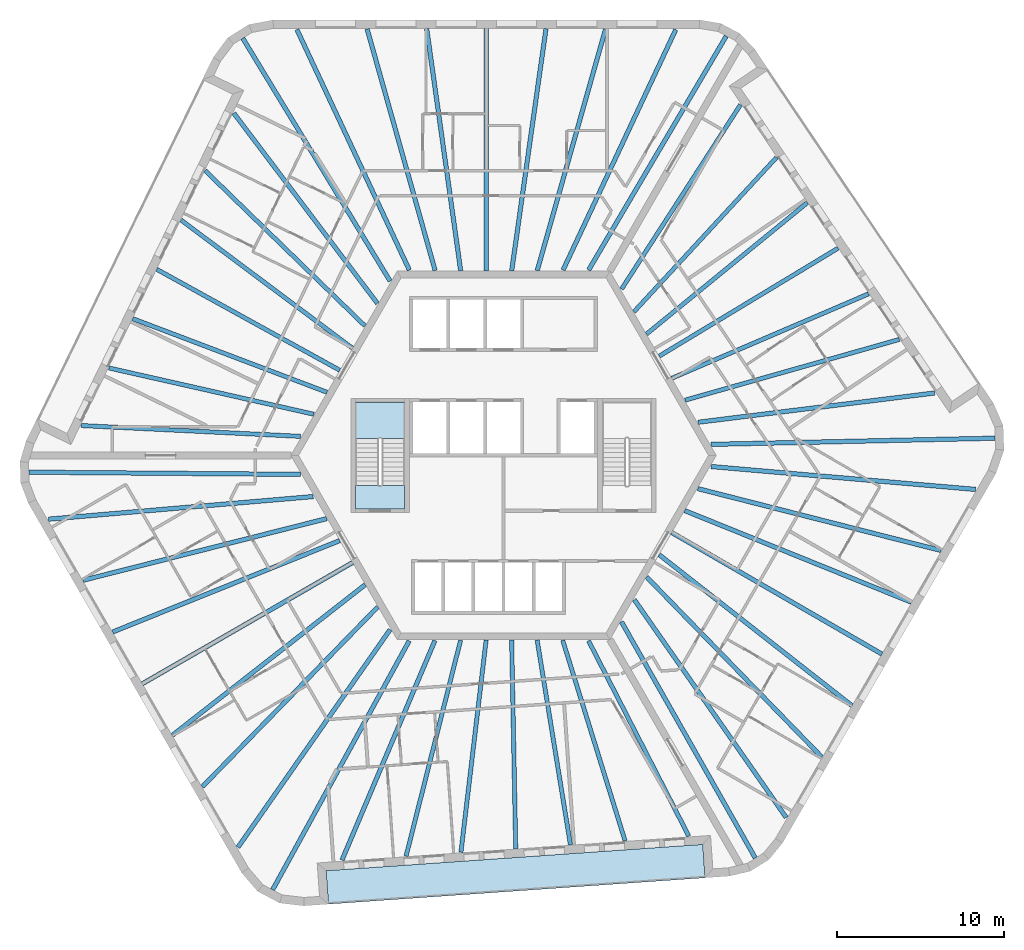
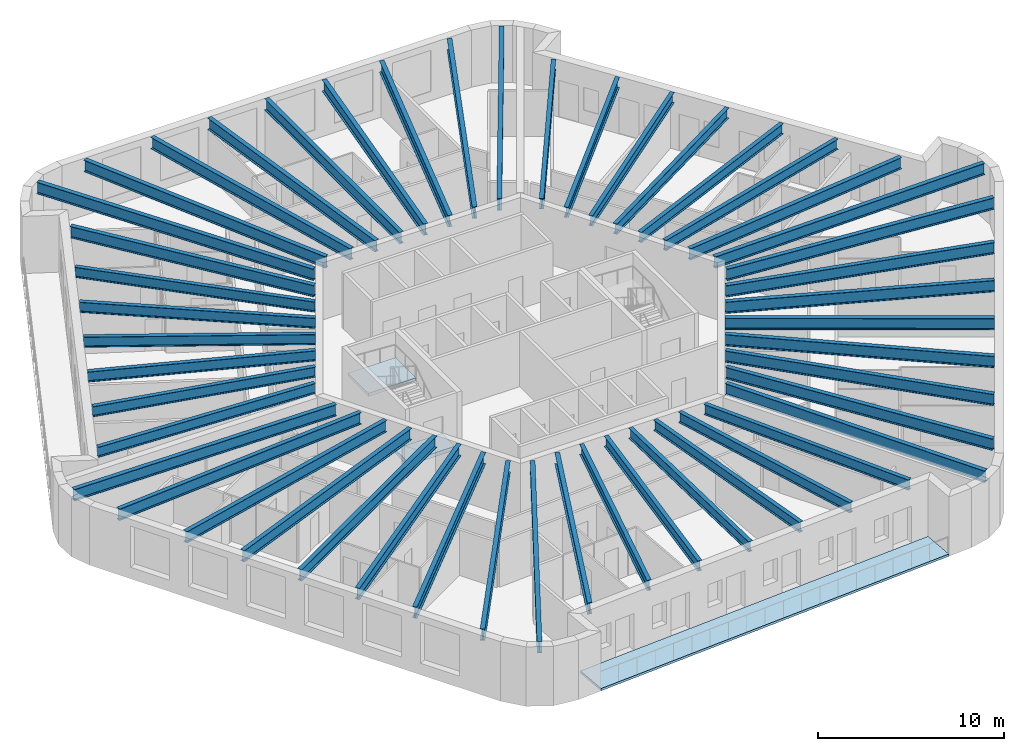
# One storey, part 1 of 12: 48 beams, 3 slabs, 1 element without a shape of its own.
"""IFC4 building model written with IfcOpenShell, lengths in metres."""

from ifc_helpers import new_model, si_unit, direction, frame, origin, origin_2d, place, context, subcontext, project, spatial, polyline, i_section, outline, extrude, material, layer, layer_set, material_profile, profile_set, type_object, element, aggregate, save


model = new_model("IFC4")

# Units and contexts
model_context = context("Model", 3, precision=1e-05, world=origin(), true_north=direction((0.0, 1.0)))
body_context = subcontext(model_context, "Body", "Model", "MODEL_VIEW")
ifc_project = project(units=[si_unit("LENGTHUNIT", "METRE"), si_unit("AREAUNIT", "SQUARE_METRE"), si_unit("VOLUMEUNIT", "CUBIC_METRE"), si_unit("PLANEANGLEUNIT", "RADIAN"), si_unit("MASSUNIT", "GRAM", prefix="KILO")], contexts=[model_context])

# Site, building, storey
site_placement = place(None, origin())
site = spatial("IfcSite", under=ifc_project, at=site_placement, CompositionType="ELEMENT")
building_placement = place(site_placement, origin())
building = spatial("IfcBuilding", under=site, at=building_placement, Name="Tarnside Tower", CompositionType="ELEMENT")
storey_placement = place(building_placement, frame((0.0, 0.0, 295.199951171875)))
storey = spatial("IfcBuildingStorey", under=building, at=storey_placement, Name="L71", CompositionType="ELEMENT", Elevation=295.199951171875)

# Beams
ifc_material_1 = material(Name="Steel S355", Category="steel")
ifc_material_profile_1 = material_profile(ifc_material_1, i_section(OverallWidth=0.2529296875, OverallDepth=0.677978515625, WebThickness=0.01171875, FlangeThickness=0.01611328125, FilletRadius=0.01513671875, at=origin_2d()), Name="UB 686x254x125")
ifc_profile_set_1 = profile_set([ifc_material_profile_1], Name="Steel S355")
beam_type_1 = type_object("IfcBeamType", Name="Floor beam UB 686x254x125", PredefinedType="BEAM", material=ifc_profile_set_1)
beam_1_placement = place(storey_placement, frame((-17.811279296875, 17.002197265625, 3.4111328125), z_axis=(0.717190986424, -0.696876666988, 0.0), x_axis=(0.696876666988, 0.717190986424, 0.0)))
element("IfcBeam", 1, at=beam_1_placement, inside=storey, type_object=beam_type_1, Name="Floor beam F2.02", PredefinedType="BEAM", context=body_context, shape_type="SweptSolid", body=[
    extrude(i_section(OverallWidth=0.2529296875, OverallDepth=0.677978515625, WebThickness=0.01171875, FlangeThickness=0.01611328125, FilletRadius=0.01513671875, at=origin_2d()), origin(), (0.0, 0.0, 1.0), 13.2919921875),
])
beam_2_placement = place(storey_placement, frame((-19.25, 14.0498046875, 3.4111328125), z_axis=(0.801006417676, -0.598655759883, 0.0), x_axis=(0.598655759883, 0.801006417676, 0.0)))
element("IfcBeam", 2, at=beam_2_placement, inside=storey, type_object=beam_type_1, Name="Floor beam F2.03", PredefinedType="BEAM", context=body_context, shape_type="SweptSolid", body=[
    extrude(i_section(OverallWidth=0.2529296875, OverallDepth=0.677978515625, WebThickness=0.01171875, FlangeThickness=0.01611328125, FilletRadius=0.01513671875, at=origin_2d()), origin(), (0.0, 0.0, 1.0), 12.764892578125),
])
beam_3_placement = place(storey_placement, frame((-20.70458984375, 11.111572265625, 3.4111328125), z_axis=(0.875666768762, -0.482915841619, 0.0), x_axis=(0.482915841619, 0.875666768762, 0.0)))
element("IfcBeam", 3, at=beam_3_placement, inside=storey, type_object=beam_type_1, Name="Floor beam F2.04", PredefinedType="BEAM", context=body_context, shape_type="SweptSolid", body=[
    extrude(i_section(OverallWidth=0.2529296875, OverallDepth=0.677978515625, WebThickness=0.01171875, FlangeThickness=0.01611328125, FilletRadius=0.01513671875, at=origin_2d()), origin(), (0.0, 0.0, 1.0), 12.468994140625),
])
beam_4_placement = place(storey_placement, frame((-22.141357421875, 8.165771484375, 3.4111328125), z_axis=(0.935116350489, -0.354340811998, 0.0), x_axis=(0.354340811998, 0.935116350489, 0.0)))
element("IfcBeam", 4, at=beam_4_placement, inside=storey, type_object=beam_type_1, Name="Floor beam F2.05", PredefinedType="BEAM", context=body_context, shape_type="SweptSolid", body=[
    extrude(i_section(OverallWidth=0.2529296875, OverallDepth=0.677978515625, WebThickness=0.01171875, FlangeThickness=0.01611328125, FilletRadius=0.01513671875, at=origin_2d()), origin(), (0.0, 0.0, 1.0), 12.399169921875),
])
beam_5_placement = place(storey_placement, frame((-23.556884765625, 5.2197265625, 3.4111328125), z_axis=(0.975445185376, -0.220242344534, 0.0), x_axis=(0.220242344534, 0.975445185376, 0.0)))
element("IfcBeam", 5, at=beam_5_placement, inside=storey, type_object=beam_type_1, Name="Floor beam F2.06", PredefinedType="BEAM", context=body_context, shape_type="SweptSolid", body=[
    extrude(i_section(OverallWidth=0.2529296875, OverallDepth=0.677978515625, WebThickness=0.01171875, FlangeThickness=0.01611328125, FilletRadius=0.01513671875, at=origin_2d()), origin(), (0.0, 0.0, 1.0), 12.538330078125),
])
beam_6_placement = place(storey_placement, frame((-25.214599609375, 1.7841796875, 3.4111328125), z_axis=(0.998783137237, -0.049317793651, 0.0), x_axis=(0.049317793651, 0.998783137237, 0.0)))
element("IfcBeam", 6, at=beam_6_placement, inside=storey, type_object=beam_type_1, Name="Floor beam F2.07", PredefinedType="BEAM", context=body_context, shape_type="SweptSolid", body=[
    extrude(i_section(OverallWidth=0.2529296875, OverallDepth=0.677978515625, WebThickness=0.01171875, FlangeThickness=0.01611328125, FilletRadius=0.01513671875, at=origin_2d()), origin(), (0.0, 0.0, 1.0), 13.103515625),
])
beam_7_placement = place(storey_placement, frame((-5.818603515625, -23.92626953125, 3.4111328125), z_axis=(0.244907502604, 0.969546448175, 0.0), x_axis=(-0.969546448175, 0.244907502604, 0.0)))
element("IfcBeam", 7, at=beam_7_placement, inside=storey, type_object=beam_type_1, Name="Floor beam F4.02", PredefinedType="BEAM", context=body_context, shape_type="SweptSolid", body=[
    extrude(i_section(OverallWidth=0.2529296875, OverallDepth=0.677978515625, WebThickness=0.01171875, FlangeThickness=0.01611328125, FilletRadius=0.01513671875, at=origin_2d()), origin(), (0.0, 0.0, 1.0), 13.292236328125),
])
beam_8_placement = place(storey_placement, frame((-2.54248046875, -23.69580078125, 3.4111328125), z_axis=(0.117949762105, 0.993019563563, 0.0), x_axis=(-0.993019563563, 0.117949762105, 0.0)))
element("IfcBeam", 8, at=beam_8_placement, inside=storey, type_object=beam_type_1, Name="Floor beam F4.03", PredefinedType="BEAM", context=body_context, shape_type="SweptSolid", body=[
    extrude(i_section(OverallWidth=0.2529296875, OverallDepth=0.677978515625, WebThickness=0.01171875, FlangeThickness=0.01611328125, FilletRadius=0.01513671875, at=origin_2d()), origin(), (0.0, 0.0, 1.0), 12.764892578125),
])
beam_9_placement = place(storey_placement, frame((0.7294921875, -23.486328125, 3.4111328125), z_axis=(-0.019619426101, 0.999807520536, 0.0), x_axis=(-0.999807520536, -0.019619426101, 0.0)))
element("IfcBeam", 9, at=beam_9_placement, inside=storey, type_object=beam_type_1, Name="Floor beam F4.04", PredefinedType="BEAM", context=body_context, shape_type="SweptSolid", body=[
    extrude(i_section(OverallWidth=0.2529296875, OverallDepth=0.677978515625, WebThickness=0.01171875, FlangeThickness=0.01611328125, FilletRadius=0.01513671875, at=origin_2d()), origin(), (0.0, 0.0, 1.0), 12.46875),
])
beam_10_placement = place(storey_placement, frame((3.9990234375, -23.2578125, 3.4111328125), z_axis=(-0.160690769029, 0.987004800773, 0.0), x_axis=(-0.987004800773, -0.160690769029, 0.0)))
element("IfcBeam", 10, at=beam_10_placement, inside=storey, type_object=beam_type_1, Name="Floor beam F4.05", PredefinedType="BEAM", context=body_context, shape_type="SweptSolid", body=[
    extrude(i_section(OverallWidth=0.2529296875, OverallDepth=0.677978515625, WebThickness=0.01171875, FlangeThickness=0.01611328125, FilletRadius=0.01513671875, at=origin_2d()), origin(), (0.0, 0.0, 1.0), 12.399169921875),
])
beam_11_placement = place(storey_placement, frame((7.258056640625, -23.0107421875, 3.4111328125), z_axis=(-0.296997512057, 0.954878252885, 0.0), x_axis=(-0.954878252885, -0.296997512057, 0.0)))
element("IfcBeam", 11, at=beam_11_placement, inside=storey, type_object=beam_type_1, Name="Floor beam F4.06", PredefinedType="BEAM", context=body_context, shape_type="SweptSolid", body=[
    extrude(i_section(OverallWidth=0.2529296875, OverallDepth=0.677978515625, WebThickness=0.01171875, FlangeThickness=0.01611328125, FilletRadius=0.01513671875, at=origin_2d()), origin(), (0.0, 0.0, 1.0), 12.538330078125),
])
beam_12_placement = place(storey_placement, frame((11.06201171875, -22.728515625, 3.4111328125), z_axis=(-0.456683143477, 0.889629420862, 0.0), x_axis=(-0.889629420862, -0.456683143477, 0.0)))
element("IfcBeam", 12, at=beam_12_placement, inside=storey, type_object=beam_type_1, Name="Floor beam F4.07", PredefinedType="BEAM", context=body_context, shape_type="SweptSolid", body=[
    extrude(i_section(OverallWidth=0.2529296875, OverallDepth=0.677978515625, WebThickness=0.01171875, FlangeThickness=0.01611328125, FilletRadius=0.01513671875, at=origin_2d()), origin(), (0.0, 0.0, 1.0), 13.103515625),
])
beam_13_placement = place(storey_placement, frame((23.6298828125, 6.924072265625, 3.4111328125), z_axis=(-0.962104001021, -0.272682766636, 0.0), x_axis=(0.272682766636, -0.962104001021, 0.0)))
element("IfcBeam", 13, at=beam_13_placement, inside=storey, type_object=beam_type_1, Name="Floor beam F6.02", PredefinedType="BEAM", context=body_context, shape_type="SweptSolid", body=[
    extrude(i_section(OverallWidth=0.2529296875, OverallDepth=0.677978515625, WebThickness=0.01171875, FlangeThickness=0.01611328125, FilletRadius=0.01513671875, at=origin_2d()), origin(), (0.0, 0.0, 1.0), 13.2919921875),
])
beam_14_placement = place(storey_placement, frame((21.792236328125, 9.64599609375, 3.4111328125), z_axis=(-0.918954980534, -0.394362452258, 0.0), x_axis=(0.394362452258, -0.918954980534, 0.0)))
element("IfcBeam", 14, at=beam_14_placement, inside=storey, type_object=beam_type_1, Name="Floor beam F6.03", PredefinedType="BEAM", context=body_context, shape_type="SweptSolid", body=[
    extrude(i_section(OverallWidth=0.2529296875, OverallDepth=0.677978515625, WebThickness=0.01171875, FlangeThickness=0.01611328125, FilletRadius=0.01513671875, at=origin_2d()), origin(), (0.0, 0.0, 1.0), 12.7646484375),
])
beam_15_placement = place(storey_placement, frame((19.97509765625, 12.375, 3.4111328125), z_axis=(-0.856046953876, -0.516898068055, 0.0), x_axis=(0.516898068055, -0.856046953876, 0.0)))
element("IfcBeam", 15, at=beam_15_placement, inside=storey, type_object=beam_type_1, Name="Floor beam F6.04", PredefinedType="BEAM", context=body_context, shape_type="SweptSolid", body=[
    extrude(i_section(OverallWidth=0.2529296875, OverallDepth=0.677978515625, WebThickness=0.01171875, FlangeThickness=0.01611328125, FilletRadius=0.01513671875, at=origin_2d()), origin(), (0.0, 0.0, 1.0), 12.46875),
])
beam_16_placement = place(storey_placement, frame((18.142333984375, 15.092041015625, 3.4111328125), z_axis=(-0.774438707576, -0.632648945473, 0.0), x_axis=(0.632648945473, -0.774438707576, 0.0)))
element("IfcBeam", 16, at=beam_16_placement, inside=storey, type_object=beam_type_1, Name="Floor beam F6.05", PredefinedType="BEAM", context=body_context, shape_type="SweptSolid", body=[
    extrude(i_section(OverallWidth=0.2529296875, OverallDepth=0.677978515625, WebThickness=0.01171875, FlangeThickness=0.01611328125, FilletRadius=0.01513671875, at=origin_2d()), origin(), (0.0, 0.0, 1.0), 12.39892578125),
])
beam_17_placement = place(storey_placement, frame((16.299072265625, 17.791015625, 3.4111328125), z_axis=(-0.67846123451, -0.734636204708, 0.0), x_axis=(0.734636204708, -0.67846123451, 0.0)))
element("IfcBeam", 17, at=beam_17_placement, inside=storey, type_object=beam_type_1, Name="Floor beam F6.06", PredefinedType="BEAM", context=body_context, shape_type="SweptSolid", body=[
    extrude(i_section(OverallWidth=0.2529296875, OverallDepth=0.677978515625, WebThickness=0.01171875, FlangeThickness=0.01611328125, FilletRadius=0.01513671875, at=origin_2d()), origin(), (0.0, 0.0, 1.0), 12.538330078125),
])
beam_18_placement = place(storey_placement, frame((14.152587890625, 20.9443359375, 3.4111328125), z_axis=(-0.54209970956, -0.840314170352, 0.0), x_axis=(0.840314170352, -0.54209970956, 0.0)))
element("IfcBeam", 18, at=beam_18_placement, inside=storey, type_object=beam_type_1, Name="Floor beam F6.07", PredefinedType="BEAM", context=body_context, shape_type="SweptSolid", body=[
    extrude(i_section(OverallWidth=0.2529296875, OverallDepth=0.677978515625, WebThickness=0.01171875, FlangeThickness=0.01611328125, FilletRadius=0.01513671875, at=origin_2d()), origin(), (0.0, 0.0, 1.0), 13.103759765625),
])
ifc_material_profile_2 = material_profile(ifc_material_1, i_section(OverallWidth=0.26513671875, OverallDepth=0.75390625, WebThickness=0.0126953125, FlangeThickness=0.017578125, FilletRadius=0.0166015625, at=origin_2d()), Name="UB 762x267x147")
ifc_profile_set_2 = profile_set([ifc_material_profile_2], Name="Steel S355")
beam_type_2 = type_object("IfcBeamType", Name="Floor beam UB 762x267x147", PredefinedType="BEAM", material=ifc_profile_set_2)
beam_19_placement = place(storey_placement, frame((6.093505859375, 25.46142578125, 3.373046875), z_axis=(-0.272147186115, -0.962255636039, 0.0), x_axis=(0.962255636039, -0.272147186115, 0.0)))
element("IfcBeam", 19, at=beam_19_placement, inside=storey, type_object=beam_type_2, Name="Floor beam F1.02", PredefinedType="BEAM", context=body_context, shape_type="SweptSolid", body=[
    extrude(i_section(OverallWidth=0.26513671875, OverallDepth=0.75390625, WebThickness=0.0126953125, FlangeThickness=0.017578125, FilletRadius=0.0166015625, at=origin_2d()), origin(), (0.0, 0.0, 1.0), 14.988525390625),
])
beam_20_placement = place(storey_placement, frame((2.537109375, 25.480224609375, 3.373046875), z_axis=(-0.140349428967, -0.990102034029, 0.0), x_axis=(0.990102034029, -0.140349428967, 0.0)))
element("IfcBeam", 20, at=beam_20_placement, inside=storey, type_object=beam_type_2, Name="Floor beam F1.03", PredefinedType="BEAM", context=body_context, shape_type="SweptSolid", body=[
    extrude(i_section(OverallWidth=0.26513671875, OverallDepth=0.75390625, WebThickness=0.0126953125, FlangeThickness=0.017578125, FilletRadius=0.0166015625, at=origin_2d()), origin(), (0.0, 0.0, 1.0), 14.60498046875),
])
beam_21_placement = place(storey_placement, frame((-1.02490234375, 25.5, 3.373046875), z_axis=(-0.000656653953, -0.999999784403, 0.0), x_axis=(0.999999784403, -0.000656653953, 0.0)))
element("IfcBeam", 21, at=beam_21_placement, inside=storey, type_object=beam_type_2, Name="Floor beam F1.04", PredefinedType="BEAM", context=body_context, shape_type="SweptSolid", body=[
    extrude(i_section(OverallWidth=0.26513671875, OverallDepth=0.75390625, WebThickness=0.0126953125, FlangeThickness=0.017578125, FilletRadius=0.0166015625, at=origin_2d()), origin(), (0.0, 0.0, 1.0), 14.5),
])
beam_22_placement = place(storey_placement, frame((-4.5869140625, 25.480224609375, 3.373046875), z_axis=(0.139070897001, -0.990282427193, 0.0), x_axis=(0.990282427193, 0.139070897001, 0.0)))
element("IfcBeam", 22, at=beam_22_placement, inside=storey, type_object=beam_type_2, Name="Floor beam F1.05", PredefinedType="BEAM", context=body_context, shape_type="SweptSolid", body=[
    extrude(i_section(OverallWidth=0.26513671875, OverallDepth=0.75390625, WebThickness=0.0126953125, FlangeThickness=0.017578125, FilletRadius=0.0166015625, at=origin_2d()), origin(), (0.0, 0.0, 1.0), 14.602294921875),
])
beam_23_placement = place(storey_placement, frame((-8.1435546875, 25.46142578125, 3.373046875), z_axis=(0.270985274434, -0.962583493023, 0.0), x_axis=(0.962583493023, 0.270985274434, 0.0)))
element("IfcBeam", 23, at=beam_23_placement, inside=storey, type_object=beam_type_2, Name="Floor beam F1.06", PredefinedType="BEAM", context=body_context, shape_type="SweptSolid", body=[
    extrude(i_section(OverallWidth=0.26513671875, OverallDepth=0.75390625, WebThickness=0.0126953125, FlangeThickness=0.017578125, FilletRadius=0.0166015625, at=origin_2d()), origin(), (0.0, 0.0, 1.0), 14.9833984375),
])
beam_24_placement = place(storey_placement, frame((-16.101318359375, 20.43212890625, 3.373046875), z_axis=(0.602566097863, -0.798068980543, 0.0), x_axis=(0.798068980543, 0.602566097863, 0.0)))
element("IfcBeam", 24, at=beam_24_placement, inside=storey, type_object=beam_type_2, Name="Floor beam F2.01", PredefinedType="BEAM", context=body_context, shape_type="SweptSolid", body=[
    extrude(i_section(OverallWidth=0.26513671875, OverallDepth=0.75390625, WebThickness=0.0126953125, FlangeThickness=0.017578125, FilletRadius=0.0166015625, at=origin_2d()), origin(), (0.0, 0.0, 1.0), 14.231201171875),
])
beam_25_placement = place(storey_placement, frame((-25.09716796875, -7.45361328125, 3.373046875), z_axis=(0.969413823687, 0.245431942592, 0.0), x_axis=(-0.245431942592, 0.969413823687, 0.0)))
element("IfcBeam", 25, at=beam_25_placement, inside=storey, type_object=beam_type_2, Name="Floor beam F3.02", PredefinedType="BEAM", context=body_context, shape_type="SweptSolid", body=[
    extrude(i_section(OverallWidth=0.26513671875, OverallDepth=0.75390625, WebThickness=0.0126953125, FlangeThickness=0.017578125, FilletRadius=0.0166015625, at=origin_2d()), origin(), (0.0, 0.0, 1.0), 14.98876953125),
])
beam_26_placement = place(storey_placement, frame((-23.3349609375, -10.54296875, 3.373046875), z_axis=(0.927625766949, 0.373510958998, 0.0), x_axis=(-0.373510958998, 0.927625766949, 0.0)))
element("IfcBeam", 26, at=beam_26_placement, inside=storey, type_object=beam_type_2, Name="Floor beam F3.03", PredefinedType="BEAM", context=body_context, shape_type="SweptSolid", body=[
    extrude(i_section(OverallWidth=0.26513671875, OverallDepth=0.75390625, WebThickness=0.0126953125, FlangeThickness=0.017578125, FilletRadius=0.0166015625, at=origin_2d()), origin(), (0.0, 0.0, 1.0), 14.60498046875),
])
beam_27_placement = place(storey_placement, frame((-21.5712890625, -13.6376953125, 3.373046875), z_axis=(0.866357363831, 0.499424587036, 0.0), x_axis=(-0.499424587036, 0.866357363831, 0.0)))
element("IfcBeam", 27, at=beam_27_placement, inside=storey, type_object=beam_type_2, Name="Floor beam F3.04", PredefinedType="BEAM", context=body_context, shape_type="SweptSolid", body=[
    extrude(i_section(OverallWidth=0.26513671875, OverallDepth=0.75390625, WebThickness=0.0126953125, FlangeThickness=0.017578125, FilletRadius=0.0166015625, at=origin_2d()), origin(), (0.0, 0.0, 1.0), 14.5),
])
beam_28_placement = place(storey_placement, frame((-19.77294921875, -16.71240234375, 3.373046875), z_axis=(0.788074813552, 0.615579473541, 0.0), x_axis=(-0.615579473541, 0.788074813552, 0.0)))
element("IfcBeam", 28, at=beam_28_placement, inside=storey, type_object=beam_type_2, Name="Floor beam F3.05", PredefinedType="BEAM", context=body_context, shape_type="SweptSolid", body=[
    extrude(i_section(OverallWidth=0.26513671875, OverallDepth=0.75390625, WebThickness=0.0126953125, FlangeThickness=0.017578125, FilletRadius=0.0166015625, at=origin_2d()), origin(), (0.0, 0.0, 1.0), 14.60205078125),
])
beam_29_placement = place(storey_placement, frame((-17.978515625, -19.783203125, 3.373046875), z_axis=(0.698129580508, 0.71597143017, 0.0), x_axis=(-0.71597143017, 0.698129580508, 0.0)))
element("IfcBeam", 29, at=beam_29_placement, inside=storey, type_object=beam_type_2, Name="Floor beam F3.06", PredefinedType="BEAM", context=body_context, shape_type="SweptSolid", body=[
    extrude(i_section(OverallWidth=0.26513671875, OverallDepth=0.75390625, WebThickness=0.0126953125, FlangeThickness=0.017578125, FilletRadius=0.0166015625, at=origin_2d()), origin(), (0.0, 0.0, 1.0), 14.983642578125),
])
beam_30_placement = place(storey_placement, frame((-9.64404296875, -24.160400390625, 3.373046875), z_axis=(0.389873911801, 0.920868249478, 0.0), x_axis=(-0.920868249478, 0.389873911801, 0.0)))
element("IfcBeam", 30, at=beam_30_placement, inside=storey, type_object=beam_type_2, Name="Floor beam F4.01", PredefinedType="BEAM", context=body_context, shape_type="SweptSolid", body=[
    extrude(i_section(OverallWidth=0.26513671875, OverallDepth=0.75390625, WebThickness=0.0126953125, FlangeThickness=0.017578125, FilletRadius=0.0166015625, at=origin_2d()), origin(), (0.0, 0.0, 1.0), 14.231201171875),
])
beam_31_placement = place(storey_placement, frame((19.00341796875, -18.008056640625, 3.373046875), z_axis=(-0.697249797022, 0.716828236437, 0.0), x_axis=(-0.716828236437, -0.697249797022, 0.0)))
element("IfcBeam", 31, at=beam_31_placement, inside=storey, type_object=beam_type_2, Name="Floor beam F5.02", PredefinedType="BEAM", context=body_context, shape_type="SweptSolid", body=[
    extrude(i_section(OverallWidth=0.26513671875, OverallDepth=0.75390625, WebThickness=0.0126953125, FlangeThickness=0.017578125, FilletRadius=0.0166015625, at=origin_2d()), origin(), (0.0, 0.0, 1.0), 14.98876953125),
])
beam_32_placement = place(storey_placement, frame((20.798095703125, -14.937255859375, 3.373046875), z_axis=(-0.787282014804, 0.616593082321, 0.0), x_axis=(-0.616593082321, -0.787282014804, 0.0)))
element("IfcBeam", 32, at=beam_32_placement, inside=storey, type_object=beam_type_2, Name="Floor beam F5.03", PredefinedType="BEAM", context=body_context, shape_type="SweptSolid", body=[
    extrude(i_section(OverallWidth=0.26513671875, OverallDepth=0.75390625, WebThickness=0.0126953125, FlangeThickness=0.017578125, FilletRadius=0.0166015625, at=origin_2d()), origin(), (0.0, 0.0, 1.0), 14.60498046875),
])
beam_33_placement = place(storey_placement, frame((22.59619140625, -11.8623046875, 3.373046875), z_axis=(-0.865697438889, 0.500567622106, 0.0), x_axis=(-0.500567622106, -0.865697438889, 0.0)))
element("IfcBeam", 33, at=beam_33_placement, inside=storey, type_object=beam_type_2, Name="Floor beam F5.04", PredefinedType="BEAM", context=body_context, shape_type="SweptSolid", body=[
    extrude(i_section(OverallWidth=0.26513671875, OverallDepth=0.75390625, WebThickness=0.0126953125, FlangeThickness=0.017578125, FilletRadius=0.0166015625, at=origin_2d()), origin(), (0.0, 0.0, 1.0), 14.500244140625),
])
beam_34_placement = place(storey_placement, frame((24.35986328125, -8.767578125, 3.373046875), z_axis=(-0.927145907531, 0.374700501933, 0.0), x_axis=(-0.374700501933, -0.927145907531, 0.0)))
element("IfcBeam", 34, at=beam_34_placement, inside=storey, type_object=beam_type_2, Name="Floor beam F5.05", PredefinedType="BEAM", context=body_context, shape_type="SweptSolid", body=[
    extrude(i_section(OverallWidth=0.26513671875, OverallDepth=0.75390625, WebThickness=0.0126953125, FlangeThickness=0.017578125, FilletRadius=0.0166015625, at=origin_2d()), origin(), (0.0, 0.0, 1.0), 14.60205078125),
])
beam_35_placement = place(storey_placement, frame((26.1220703125, -5.67822265625, 3.373046875), z_axis=(-0.969115089144, 0.246608888716, 0.0), x_axis=(-0.246608888716, -0.969115089144, 0.0)))
element("IfcBeam", 35, at=beam_35_placement, inside=storey, type_object=beam_type_2, Name="Floor beam F5.06", PredefinedType="BEAM", context=body_context, shape_type="SweptSolid", body=[
    extrude(i_section(OverallWidth=0.26513671875, OverallDepth=0.75390625, WebThickness=0.0126953125, FlangeThickness=0.017578125, FilletRadius=0.0166015625, at=origin_2d()), origin(), (0.0, 0.0, 1.0), 14.9833984375),
])
beam_36_placement = place(storey_placement, frame((25.745361328125, 3.72802734375, 3.373046875), z_axis=(-0.992433598491, -0.122782541866, 0.0), x_axis=(0.122782541866, -0.992433598491, 0.0)))
element("IfcBeam", 36, at=beam_36_placement, inside=storey, type_object=beam_type_2, Name="Floor beam F6.01", PredefinedType="BEAM", context=body_context, shape_type="SweptSolid", body=[
    extrude(i_section(OverallWidth=0.26513671875, OverallDepth=0.75390625, WebThickness=0.0126953125, FlangeThickness=0.017578125, FilletRadius=0.0166015625, at=origin_2d()), origin(), (0.0, 0.0, 1.0), 14.23095703125),
])
ifc_material_profile_3 = material_profile(ifc_material_1, i_section(OverallWidth=0.2666015625, OverallDepth=0.76220703125, WebThickness=0.014404296875, FlangeThickness=0.021484375, FilletRadius=0.0166015625, at=origin_2d()), Name="UB 762x267x173")
ifc_profile_set_3 = profile_set([ifc_material_profile_3], Name="Steel S355")
beam_type_3 = type_object("IfcBeamType", Name="Floor beam UB 762x267x173", PredefinedType="BEAM", material=ifc_profile_set_3)
beam_37_placement = place(storey_placement, frame((10.285400390625, 25.427490234375, 3.368896484375), z_axis=(-0.424439399801, -0.905456346765, 0.0), x_axis=(0.905456346765, -0.424439399801, 0.0)))
element("IfcBeam", 37, at=beam_37_placement, inside=storey, type_object=beam_type_3, Name="Floor beam F1.01", PredefinedType="BEAM", context=body_context, shape_type="SweptSolid", body=[
    extrude(i_section(OverallWidth=0.2666015625, OverallDepth=0.76220703125, WebThickness=0.014404296875, FlangeThickness=0.021484375, FilletRadius=0.0166015625, at=origin_2d()), origin(), (0.0, 0.0, 1.0), 15.853759765625),
])
beam_38_placement = place(storey_placement, frame((-12.335205078125, 25.427490234375, 3.368896484375), z_axis=(0.423453877267, -0.905917663934, 0.0), x_axis=(0.905917663934, 0.423453877267, 0.0)))
element("IfcBeam", 38, at=beam_38_placement, inside=storey, type_object=beam_type_3, Name="Floor beam F1.07", PredefinedType="BEAM", context=body_context, shape_type="SweptSolid", body=[
    extrude(i_section(OverallWidth=0.2666015625, OverallDepth=0.76220703125, WebThickness=0.014404296875, FlangeThickness=0.021484375, FilletRadius=0.0166015625, at=origin_2d()), origin(), (0.0, 0.0, 1.0), 15.845703125),
])
beam_39_placement = place(storey_placement, frame((-15.5703125, 24.91162109375, 3.368896484375), z_axis=(0.518716683755, -0.854946198304, 0.0), x_axis=(0.854946198304, 0.518716683755, 0.0)))
element("IfcBeam", 39, at=beam_39_placement, inside=storey, type_object=beam_type_3, Name="Floor beam C1", PredefinedType="BEAM", context=body_context, shape_type="SweptSolid", body=[
    extrude(i_section(OverallWidth=0.2666015625, OverallDepth=0.76220703125, WebThickness=0.014404296875, FlangeThickness=0.021484375, FilletRadius=0.0166015625, at=origin_2d()), origin(), (0.0, 0.0, 1.0), 16.961181640625),
])
beam_40_placement = place(storey_placement, frame((-28.3291015625, -1.0009765625, 3.368896484375), z_axis=(0.999966651082, -0.008166806173, 0.0), x_axis=(0.008166806173, 0.999966651082, 0.0)))
element("IfcBeam", 40, at=beam_40_placement, inside=storey, type_object=beam_type_3, Name="Floor beam C2", PredefinedType="BEAM", context=body_context, shape_type="SweptSolid", body=[
    extrude(i_section(OverallWidth=0.2666015625, OverallDepth=0.76220703125, WebThickness=0.014404296875, FlangeThickness=0.021484375, FilletRadius=0.0166015625, at=origin_2d()), origin(), (0.0, 0.0, 1.0), 16.20263671875),
])
beam_41_placement = place(storey_placement, frame((-27.16357421875, -3.806396484375, 3.368896484375), z_axis=(0.996367434748, 0.085158293626, 0.0), x_axis=(-0.085158293626, 0.996367434748, 0.0)))
element("IfcBeam", 41, at=beam_41_placement, inside=storey, type_object=beam_type_3, Name="Floor beam F3.01", PredefinedType="BEAM", context=body_context, shape_type="SweptSolid", body=[
    extrude(i_section(OverallWidth=0.2666015625, OverallDepth=0.76220703125, WebThickness=0.014404296875, FlangeThickness=0.021484375, FilletRadius=0.0166015625, at=origin_2d()), origin(), (0.0, 0.0, 1.0), 15.85400390625),
])
beam_42_placement = place(storey_placement, frame((-15.853271484375, -23.396484375, 3.368896484375), z_axis=(0.572816933654, 0.819683329414, 0.0), x_axis=(-0.819683329414, 0.572816933654, 0.0)))
element("IfcBeam", 42, at=beam_42_placement, inside=storey, type_object=beam_type_3, Name="Floor beam F3.07", PredefinedType="BEAM", context=body_context, shape_type="SweptSolid", body=[
    extrude(i_section(OverallWidth=0.2666015625, OverallDepth=0.76220703125, WebThickness=0.014404296875, FlangeThickness=0.021484375, FilletRadius=0.0166015625, at=origin_2d()), origin(), (0.0, 0.0, 1.0), 15.84619140625),
])
beam_43_placement = place(storey_placement, frame((-13.788818359375, -25.93994140625, 3.368896484375), z_axis=(0.481036073107, 0.876700802081, 0.0), x_axis=(-0.876700802081, 0.481036073107, 0.0)))
element("IfcBeam", 43, at=beam_43_placement, inside=storey, type_object=beam_type_3, Name="Floor beam C3", PredefinedType="BEAM", context=body_context, shape_type="SweptSolid", body=[
    extrude(i_section(OverallWidth=0.2666015625, OverallDepth=0.76220703125, WebThickness=0.014404296875, FlangeThickness=0.021484375, FilletRadius=0.0166015625, at=origin_2d()), origin(), (0.0, 0.0, 1.0), 16.961181640625),
])
beam_44_placement = place(storey_placement, frame((15.031494140625, -24.033447265625, 3.368896484375), z_axis=(-0.49290801997, 0.870081423689, 0.0), x_axis=(-0.870081423689, -0.49290801997, 0.0)))
element("IfcBeam", 44, at=beam_44_placement, inside=storey, type_object=beam_type_3, Name="Floor beam C4", PredefinedType="BEAM", context=body_context, shape_type="SweptSolid", body=[
    extrude(i_section(OverallWidth=0.2666015625, OverallDepth=0.76220703125, WebThickness=0.014404296875, FlangeThickness=0.021484375, FilletRadius=0.0166015625, at=origin_2d()), origin(), (0.0, 0.0, 1.0), 16.202880859375),
])
beam_45_placement = place(storey_placement, frame((16.87841796875, -21.62109375, 3.368896484375), z_axis=(-0.571946235641, 0.82029110902, 0.0), x_axis=(-0.82029110902, -0.571946235641, 0.0)))
element("IfcBeam", 45, at=beam_45_placement, inside=storey, type_object=beam_type_3, Name="Floor beam F5.01", PredefinedType="BEAM", context=body_context, shape_type="SweptSolid", body=[
    extrude(i_section(OverallWidth=0.2666015625, OverallDepth=0.76220703125, WebThickness=0.014404296875, FlangeThickness=0.021484375, FilletRadius=0.0166015625, at=origin_2d()), origin(), (0.0, 0.0, 1.0), 15.85400390625),
])
beam_46_placement = place(storey_placement, frame((28.1884765625, -2.03125, 3.368896484375), z_axis=(-0.996273584651, 0.086249316098, 0.0), x_axis=(-0.086249316098, -0.996273584651, 0.0)))
element("IfcBeam", 46, at=beam_46_placement, inside=storey, type_object=beam_type_3, Name="Floor beam F5.07", PredefinedType="BEAM", context=body_context, shape_type="SweptSolid", body=[
    extrude(i_section(OverallWidth=0.2666015625, OverallDepth=0.76220703125, WebThickness=0.014404296875, FlangeThickness=0.021484375, FilletRadius=0.0166015625, at=origin_2d()), origin(), (0.0, 0.0, 1.0), 15.845947265625),
])
beam_47_placement = place(storey_placement, frame((29.359130859375, 1.028564453125, 3.368896484375), z_axis=(-0.999763142455, -0.02176370807, 0.0), x_axis=(0.02176370807, -0.999763142455, 0.0)))
element("IfcBeam", 47, at=beam_47_placement, inside=storey, type_object=beam_type_3, Name="Floor beam C5", PredefinedType="BEAM", context=body_context, shape_type="SweptSolid", body=[
    extrude(i_section(OverallWidth=0.2666015625, OverallDepth=0.76220703125, WebThickness=0.014404296875, FlangeThickness=0.021484375, FilletRadius=0.0166015625, at=origin_2d()), origin(), (0.0, 0.0, 1.0), 16.961181640625),
])
beam_48_placement = place(storey_placement, frame((13.2978515625, 25.0341796875, 3.368896484375), z_axis=(-0.507080048325, -0.861898964259, 0.0), x_axis=(0.861898964259, -0.507080048325, 0.0)))
element("IfcBeam", 48, at=beam_48_placement, inside=storey, type_object=beam_type_3, Name="Floor beam C6", PredefinedType="BEAM", context=body_context, shape_type="SweptSolid", body=[
    extrude(i_section(OverallWidth=0.2666015625, OverallDepth=0.76220703125, WebThickness=0.014404296875, FlangeThickness=0.021484375, FilletRadius=0.0166015625, at=origin_2d()), origin(), (0.0, 0.0, 1.0), 16.20263671875),
])

# Slabs
ifc_material_2 = material(Name="Concrete C40/50", Category="concrete")
ifc_layer_1 = layer(ifc_material_2, 0.25)
ifc_layer_set_1 = layer_set([ifc_layer_1], Name="Core slab C40/50")
slab_type_1 = type_object("IfcSlabType", Name="Core slab C40/50", PredefinedType="FLOOR", material=ifc_layer_set_1)
slab_1_placement = place(storey_placement, frame((0.0, 0.0, -0.25)))
element("IfcSlab", 49, at=slab_1_placement, inside=storey, type_object=slab_type_1, Name="L71 core floor slab 2", PredefinedType="FLOOR", context=body_context, shape_type="SweptSolid", body=[
    extrude(outline(polyline([(-8.85009765625, -3.199951171875), (-8.85009765625, -1.800048828125), (-5.89990234375, -1.800048828125), (-5.89990234375, -3.199951171875), (-8.85009765625, -3.199951171875)])), origin(), (0.0, 0.0, 1.0), 0.25),
])
ifc_material_3 = material(Name="Timber decking", Category="wood")
ifc_layer_2 = layer(ifc_material_3, 0.0400390625)
ifc_material_4 = material(Name="Concrete C60/75 precast", Category="concrete")
ifc_layer_3 = layer(ifc_material_4, 0.110107421875)
ifc_layer_set_2 = layer_set([ifc_layer_2, ifc_layer_3], Name="Loggia deck 150")
slab_type_2 = type_object("IfcSlabType", Name="Loggia deck 150", PredefinedType="FLOOR", material=ifc_layer_set_2)
slab_2_placement = place(storey_placement, frame((0.0, 0.0, -0.14990234375)))
element("IfcSlab", 50, at=slab_2_placement, inside=storey, type_object=slab_type_2, Name="Loggia deck L71 F4", PredefinedType="FLOOR", context=body_context, shape_type="SweptSolid", body=[
    extrude(outline(polyline([(-10.593017578125, -24.79931640625), (11.896728515625, -23.226806640625), (12.036376953125, -25.221923828125), (-10.45361328125, -26.79443359375), (-10.593017578125, -24.79931640625)])), origin(), (0.0, 0.0, 1.0), 0.14990234375),
])

# Stair, slab
stair_type = type_object("IfcStairType", Name="Exit stair 1400 clear", PredefinedType="HALF_TURN_STAIR", material=ifc_material_2)
stair_placement = place(storey_placement, origin())
stair = element("IfcStair", 51, at=stair_placement, inside=storey, type_object=stair_type, Name="L71 Exit stair 2", PredefinedType="HALF_TURN_STAIR")
ifc_layer_4 = layer(ifc_material_2, 0.199951171875)
ifc_layer_set_3 = layer_set([ifc_layer_4], Name="Stair landing 200 C40/50")
slab_type_3 = type_object("IfcSlabType", Name="Stair landing 200 C40/50", PredefinedType="LANDING", material=ifc_layer_set_3)
slab_3_placement = place(storey_placement, frame((0.0, 0.0, 1.75)))
slab_3 = element("IfcSlab", 52, at=slab_3_placement, type_object=slab_type_3, Name="ST2 landing 1", PredefinedType="LANDING", context=body_context, shape_type="SweptSolid", body=[
    extrude(outline(polyline([(-5.89990234375, 1.0), (-5.89990234375, 3.199951171875), (-8.85009765625, 3.199951171875), (-8.85009765625, 1.0), (-5.89990234375, 1.0)])), origin(), (0.0, 0.0, 1.0), 0.199951171875),
])
aggregate(stair, [slab_3])

save(model, "model.ifc")
